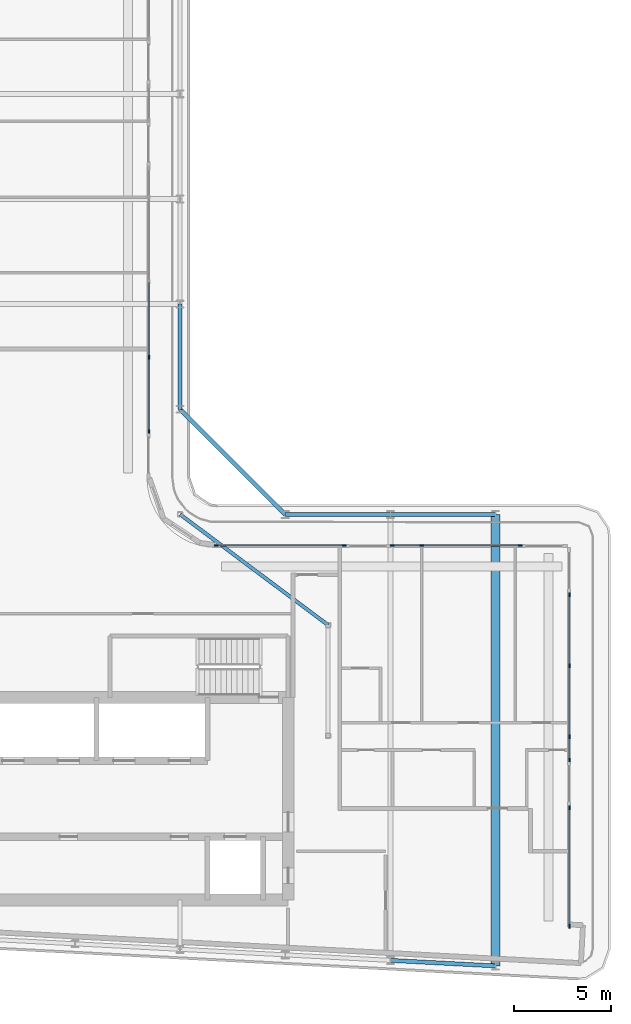
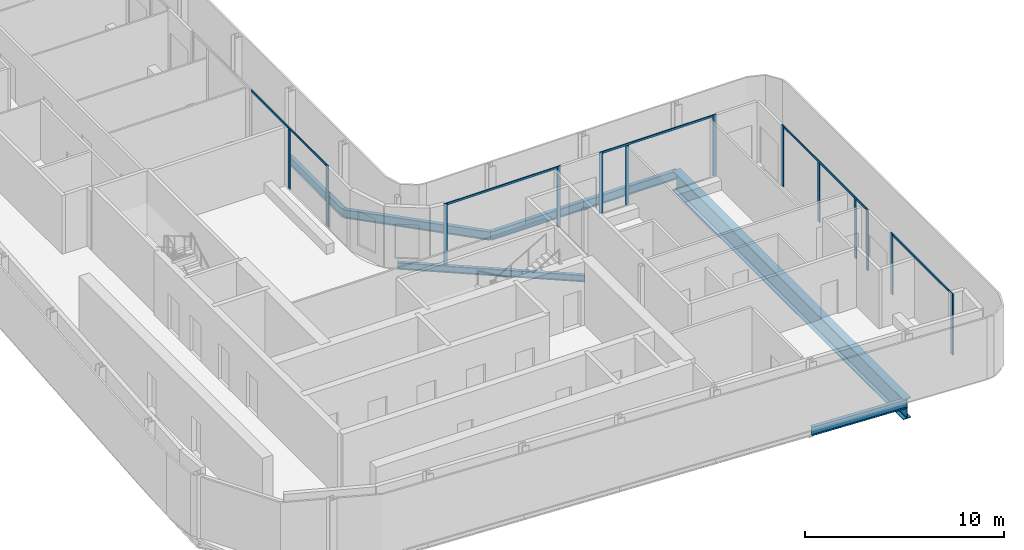
# One storey, part 6 of 21: 19 members, 7 beams, 6 elements without a shape of their own.
"""IFC4 building model written with IfcOpenShell, lengths in metres."""

from ifc_helpers import new_model, si_unit, direction, frame, origin, origin_2d, place, context, subcontext, project, spatial, rectangle, i_section, extrude, material, layer, layer_set, material_profile, profile_set, type_object, element, aggregate, save


model = new_model("IFC4")

# Units and contexts
model_context = context("Model", 3, precision=1e-05, world=origin(), true_north=direction((0.0, 1.0)))
body_context = subcontext(model_context, "Body", "Model", "MODEL_VIEW")
ifc_project = project(units=[si_unit("LENGTHUNIT", "METRE"), si_unit("AREAUNIT", "SQUARE_METRE"), si_unit("VOLUMEUNIT", "CUBIC_METRE"), si_unit("PLANEANGLEUNIT", "RADIAN"), si_unit("MASSUNIT", "GRAM", prefix="KILO")], contexts=[model_context])

# Site, building, storey
site_placement = place(None, origin())
site = spatial("IfcSite", under=ifc_project, at=site_placement, CompositionType="ELEMENT")
building_placement = place(site_placement, origin())
building = spatial("IfcBuilding", under=site, at=building_placement, Name="Kheshtan School and Residences Tower", CompositionType="ELEMENT")
storey_placement = place(building_placement, frame((0.0, 0.0, 321.5)))
storey = spatial("IfcBuildingStorey", under=building, at=storey_placement, Name="L76", CompositionType="ELEMENT", Elevation=321.5)

# Beams
ifc_material_1 = material(Name="Steel ASTM A992 Grade 50", Category="steel")
ifc_material_profile_1 = material_profile(ifc_material_1, i_section(OverallWidth=0.180908203125, OverallDepth=0.4169921875, WebThickness=0.010986328125, FlangeThickness=0.018310546875, FilletRadius=0.012451171875, at=origin_2d()), Name="W410x85")
ifc_profile_set_1 = profile_set([ifc_material_profile_1], Name="Steel ASTM A992 Grade 50")
beam_type_1 = type_object("IfcBeamType", Name="Beam FB3 W410x85 ASTM A992 Grade 50", PredefinedType="BEAM", material=ifc_profile_set_1)
beam_1_placement = place(storey_placement, frame((47.60009765625, 45.60009765625, -0.3583984375), z_axis=(0.800798828004, -0.598933416222, 0.0), x_axis=(0.598933416222, 0.800798828004, 0.0)))
element("IfcBeam", 1, at=beam_1_placement, inside=storey, type_object=beam_type_1, Name="Floor beam IC", PredefinedType="BEAM", context=body_context, shape_type="SweptSolid", body=[
    extrude(i_section(OverallWidth=0.180908203125, OverallDepth=0.4169921875, WebThickness=0.010986328125, FlangeThickness=0.018310546875, FilletRadius=0.012451171875, at=origin_2d()), origin(), (0.0, 0.0, 1.0), 9.490234375),
])
ifc_material_profile_2 = material_profile(ifc_material_1, i_section(OverallWidth=0.208984375, OverallDepth=0.532958984375, WebThickness=0.01025390625, FlangeThickness=0.015625, FilletRadius=0.013916015625, at=origin_2d()), Name="W530x92")
ifc_profile_set_2 = profile_set([ifc_material_profile_2], Name="Steel ASTM A992 Grade 50")
beam_type_2 = type_object("IfcBeamType", Name="Beam SP3 W530x92 ASTM A992 Grade 50", PredefinedType="BEAM", material=ifc_profile_set_2)
beam_2_placement = place(storey_placement, frame((47.60009765625, 56.39990234375, -0.41650390625), z_axis=(0.0, -1.0, 0.0), x_axis=(1.0, 0.0, 0.0)))
element("IfcBeam", 2, at=beam_2_placement, inside=storey, type_object=beam_type_2, Name="Spandrel beam C081-C079", PredefinedType="BEAM", context=body_context, shape_type="SweptSolid", body=[
    extrude(i_section(OverallWidth=0.208984375, OverallDepth=0.532958984375, WebThickness=0.01025390625, FlangeThickness=0.015625, FilletRadius=0.013916015625, at=origin_2d()), origin(), (0.0, 0.0, 1.0), 5.39990234375),
])
beam_3_placement = place(storey_placement, frame((47.60009765625, 51.0, -0.41650390625), z_axis=(0.707106781187, -0.707106781187, 0.0), x_axis=(0.707106781187, 0.707106781187, 0.0)))
element("IfcBeam", 3, at=beam_3_placement, inside=storey, type_object=beam_type_2, Name="Spandrel beam C079-C061", PredefinedType="BEAM", context=body_context, shape_type="SweptSolid", body=[
    extrude(i_section(OverallWidth=0.208984375, OverallDepth=0.532958984375, WebThickness=0.01025390625, FlangeThickness=0.015625, FilletRadius=0.013916015625, at=origin_2d()), origin(), (0.0, 0.0, 1.0), 7.63671875),
])
beam_4_placement = place(storey_placement, frame((53.0, 45.60009765625, -0.41650390625), z_axis=(1.0, 0.0, 0.0), x_axis=(0.0, 1.0, 0.0)))
element("IfcBeam", 4, at=beam_4_placement, inside=storey, type_object=beam_type_2, Name="Spandrel beam C061-C062", PredefinedType="BEAM", context=body_context, shape_type="SweptSolid", body=[
    extrude(i_section(OverallWidth=0.208984375, OverallDepth=0.532958984375, WebThickness=0.01025390625, FlangeThickness=0.015625, FilletRadius=0.013916015625, at=origin_2d()), origin(), (0.0, 0.0, 1.0), 5.39990234375),
])
beam_5_placement = place(storey_placement, frame((58.39990234375, 45.60009765625, -0.41650390625), z_axis=(1.0, 0.0, 0.0), x_axis=(0.0, 1.0, 0.0)))
element("IfcBeam", 5, at=beam_5_placement, inside=storey, type_object=beam_type_2, Name="Spandrel beam C062-C063", PredefinedType="BEAM", context=body_context, shape_type="SweptSolid", body=[
    extrude(i_section(OverallWidth=0.208984375, OverallDepth=0.532958984375, WebThickness=0.01025390625, FlangeThickness=0.015625, FilletRadius=0.013916015625, at=origin_2d()), origin(), (0.0, 0.0, 1.0), 5.400146484375),
])
beam_6_placement = place(storey_placement, frame((63.800048828125, 22.410888671875, -0.41650390625), z_axis=(-0.998618203458, 0.052551724256, 0.0), x_axis=(-0.052551724256, -0.998618203458, 0.0)))
element("IfcBeam", 6, at=beam_6_placement, inside=storey, type_object=beam_type_2, Name="Spandrel beam C016-C018", PredefinedType="BEAM", context=body_context, shape_type="SweptSolid", body=[
    extrude(i_section(OverallWidth=0.208984375, OverallDepth=0.532958984375, WebThickness=0.01025390625, FlangeThickness=0.015625, FilletRadius=0.013916015625, at=origin_2d()), origin(), (0.0, 0.0, 1.0), 5.40771484375),
])

# Curtain wall, members
ifc_material_2 = material(Name="Clear low-e glass in thermally broken aluminium frame", Category="aluminium")
ifc_layer = layer(ifc_material_2, 0.199951171875)
ifc_layer_set = layer_set([ifc_layer], Name="Curtain wall CW-L")
curtain_wall_type = type_object("IfcCurtainWallType", Name="Curtain wall CW-L", PredefinedType="NOTDEFINED", material=ifc_layer_set)
curtain_wall_1_placement = place(storey_placement, origin())
curtain_wall_1 = element("IfcCurtainWall", 7, at=curtain_wall_1_placement, inside=storey, type_object=curtain_wall_type, Name="Curtain wall CWL8", PredefinedType="NOTDEFINED")
ifc_material_3 = material(Name="Thermally broken aluminium, dark bronze anodised", Category="aluminium")
ifc_material_profile_3 = material_profile(ifc_material_3, rectangle(XDim=0.06005859375, YDim=0.199951171875, at=origin_2d()), Name="CW-L mullion 60x200")
ifc_profile_set_3 = profile_set([ifc_material_profile_3], Name="Thermally broken aluminium, dark bronze anodised")
member_type_1 = type_object("IfcMemberType", Name="CW-L mullion 60x200", PredefinedType="MULLION", material=ifc_profile_set_3)
member_1_placement = place(storey_placement, frame((46.0, 53.677001953125, 0.0), z_axis=(0.0, 0.0, 1.0), x_axis=(1.0, 0.0, 0.0)))
member_1 = element("IfcMember", 8, at=member_1_placement, type_object=member_type_1, Name="CWL8 mullion 2", PredefinedType="MULLION", context=body_context, shape_type="SweptSolid", body=[
    extrude(rectangle(XDim=0.06005859375, YDim=0.199951171875, at=origin_2d()), origin(), (0.0, 0.0, 1.0), 3.6298828125),
])
member_2_placement = place(storey_placement, frame((46.0, 49.860107421875, 0.0), z_axis=(0.0, 0.0, 1.0), x_axis=(1.0, 0.0, 0.0)))
member_2 = element("IfcMember", 9, at=member_2_placement, type_object=member_type_1, Name="CWL8 mullion 3", PredefinedType="MULLION", context=body_context, shape_type="SweptSolid", body=[
    extrude(rectangle(XDim=0.06005859375, YDim=0.199951171875, at=origin_2d()), origin(), (0.0, 0.0, 1.0), 3.75),
])

curtain_wall_2_placement = place(storey_placement, origin())
curtain_wall_2 = element("IfcCurtainWall", 10, at=curtain_wall_2_placement, inside=storey, type_object=curtain_wall_type, Name="Curtain wall CWL1233", PredefinedType="NOTDEFINED")
member_3_placement = place(storey_placement, frame((49.4599609375, 44.0, 0.0), z_axis=(0.0, 0.0, 1.0), x_axis=(0.0, 1.0, 0.0)))
member_3 = element("IfcMember", 11, at=member_3_placement, type_object=member_type_1, Name="CWL1233 mullion 1", PredefinedType="MULLION", context=body_context, shape_type="SweptSolid", body=[
    extrude(rectangle(XDim=0.06005859375, YDim=0.199951171875, at=origin_2d()), origin(), (0.0, 0.0, 1.0), 3.75),
])
member_4_placement = place(storey_placement, frame((56.034912109375, 44.0, 0.0), z_axis=(0.0, 0.0, 1.0), x_axis=(0.0, 1.0, 0.0)))
member_4 = element("IfcMember", 12, at=member_4_placement, type_object=member_type_1, Name="CWL1233 mullion 2", PredefinedType="MULLION", context=body_context, shape_type="SweptSolid", body=[
    extrude(rectangle(XDim=0.06005859375, YDim=0.199951171875, at=origin_2d()), origin(), (0.0, 0.0, 1.0), 3.75),
])

curtain_wall_3_placement = place(storey_placement, origin())
curtain_wall_3 = element("IfcCurtainWall", 13, at=curtain_wall_3_placement, inside=storey, type_object=curtain_wall_type, Name="Curtain wall CWL1234", PredefinedType="NOTDEFINED")
member_5_placement = place(storey_placement, frame((58.4951171875, 44.0, 0.0), z_axis=(0.0, 0.0, 1.0), x_axis=(0.0, 1.0, 0.0)))
member_5 = element("IfcMember", 14, at=member_5_placement, type_object=member_type_1, Name="CWL1234 mullion 1", PredefinedType="MULLION", context=body_context, shape_type="SweptSolid", body=[
    extrude(rectangle(XDim=0.06005859375, YDim=0.199951171875, at=origin_2d()), origin(), (0.0, 0.0, 1.0), 3.75),
])
member_6_placement = place(storey_placement, frame((60.0, 44.0, 0.0), z_axis=(0.0, 0.0, 1.0), x_axis=(0.0, 1.0, 0.0)))
member_6 = element("IfcMember", 15, at=member_6_placement, type_object=member_type_1, Name="CWL1234 mullion 2", PredefinedType="MULLION", context=body_context, shape_type="SweptSolid", body=[
    extrude(rectangle(XDim=0.06005859375, YDim=0.199951171875, at=origin_2d()), origin(), (0.0, 0.0, 1.0), 3.6298828125),
])
member_7_placement = place(storey_placement, frame((65.070068359375, 44.0, 0.0), z_axis=(0.0, 0.0, 1.0), x_axis=(0.0, 1.0, 0.0)))
member_7 = element("IfcMember", 16, at=member_7_placement, type_object=member_type_1, Name="CWL1234 mullion 3", PredefinedType="MULLION", context=body_context, shape_type="SweptSolid", body=[
    extrude(rectangle(XDim=0.06005859375, YDim=0.199951171875, at=origin_2d()), origin(), (0.0, 0.0, 1.0), 3.75),
])

curtain_wall_4_placement = place(storey_placement, origin())
curtain_wall_4 = element("IfcCurtainWall", 17, at=curtain_wall_4_placement, inside=storey, type_object=curtain_wall_type, Name="Curtain wall CWL13e", PredefinedType="NOTDEFINED")
member_8_placement = place(storey_placement, frame((67.60009765625, 41.469970703125, 0.0), z_axis=(0.0, 0.0, 1.0), x_axis=(1.0, 0.0, 0.0)))
member_8 = element("IfcMember", 18, at=member_8_placement, type_object=member_type_1, Name="CWL13e mullion 1", PredefinedType="MULLION", context=body_context, shape_type="SweptSolid", body=[
    extrude(rectangle(XDim=0.06005859375, YDim=0.199951171875, at=origin_2d()), origin(), (0.0, 0.0, 1.0), 3.75),
])
member_9_placement = place(storey_placement, frame((67.60009765625, 37.829833984375, 0.0), z_axis=(0.0, 0.0, 1.0), x_axis=(1.0, 0.0, 0.0)))
member_9 = element("IfcMember", 19, at=member_9_placement, type_object=member_type_1, Name="CWL13e mullion 2", PredefinedType="MULLION", context=body_context, shape_type="SweptSolid", body=[
    extrude(rectangle(XDim=0.06005859375, YDim=0.199951171875, at=origin_2d()), origin(), (0.0, 0.0, 1.0), 3.6298828125),
])
member_10_placement = place(storey_placement, frame((67.60009765625, 34.189453125, 0.0), z_axis=(0.0, 0.0, 1.0), x_axis=(1.0, 0.0, 0.0)))
member_10 = element("IfcMember", 20, at=member_10_placement, type_object=member_type_1, Name="CWL13e mullion 3", PredefinedType="MULLION", context=body_context, shape_type="SweptSolid", body=[
    extrude(rectangle(XDim=0.06005859375, YDim=0.199951171875, at=origin_2d()), origin(), (0.0, 0.0, 1.0), 3.75),
])

# Curtain wall, member
curtain_wall_5_placement = place(storey_placement, origin())
curtain_wall_5 = element("IfcCurtainWall", 21, at=curtain_wall_5_placement, inside=storey, type_object=curtain_wall_type, Name="Curtain wall CWL13f", PredefinedType="NOTDEFINED")
member_11_placement = place(storey_placement, frame((67.60009765625, 32.989501953125, 0.0), z_axis=(0.0, 0.0, 1.0), x_axis=(1.0, 0.0, 0.0)))
member_11 = element("IfcMember", 22, at=member_11_placement, type_object=member_type_1, Name="CWL13f mullion 2", PredefinedType="MULLION", context=body_context, shape_type="SweptSolid", body=[
    extrude(rectangle(XDim=0.06005859375, YDim=0.199951171875, at=origin_2d()), origin(), (0.0, 0.0, 1.0), 3.75),
])

# Curtain wall, members
curtain_wall_6_placement = place(storey_placement, origin())
curtain_wall_6 = element("IfcCurtainWall", 23, at=curtain_wall_6_placement, inside=storey, type_object=curtain_wall_type, Name="Curtain wall CWL13g", PredefinedType="NOTDEFINED")
member_12_placement = place(storey_placement, frame((67.60009765625, 30.529541015625, 0.0), z_axis=(0.0, 0.0, 1.0), x_axis=(1.0, 0.0, 0.0)))
member_12 = element("IfcMember", 24, at=member_12_placement, type_object=member_type_1, Name="CWL13g mullion 1", PredefinedType="MULLION", context=body_context, shape_type="SweptSolid", body=[
    extrude(rectangle(XDim=0.06005859375, YDim=0.199951171875, at=origin_2d()), origin(), (0.0, 0.0, 1.0), 3.75),
])
member_13_placement = place(storey_placement, frame((67.60009765625, 24.448974609375, 0.0), z_axis=(0.0, 0.0, 1.0), x_axis=(1.0, 0.0, 0.0)))
member_13 = element("IfcMember", 25, at=member_13_placement, type_object=member_type_1, Name="CWL13g mullion 2", PredefinedType="MULLION", context=body_context, shape_type="SweptSolid", body=[
    extrude(rectangle(XDim=0.06005859375, YDim=0.199951171875, at=origin_2d()), origin(), (0.0, 0.0, 1.0), 3.75),
])

# Member
ifc_material_profile_4 = material_profile(ifc_material_3, rectangle(XDim=0.06005859375, YDim=0.1201171875, at=origin_2d()), Name="CW-L transom 60x120")
ifc_profile_set_4 = profile_set([ifc_material_profile_4], Name="Thermally broken aluminium, dark bronze anodised")
member_type_2 = type_object("IfcMemberType", Name="CW-L transom 60x120", PredefinedType="USERDEFINED", material=ifc_profile_set_4)
member_14_placement = place(storey_placement, frame((46.0, 57.52392578125, 3.68994140625), z_axis=(0.0, -1.0, 0.0), x_axis=(1.0, 0.0, 0.0)))
member_14 = element("IfcMember", 26, at=member_14_placement, type_object=member_type_2, Name="CWL8 transom 1", ObjectType="TRANSOM", PredefinedType="USERDEFINED", context=body_context, shape_type="SweptSolid", body=[
    extrude(rectangle(XDim=0.06005859375, YDim=0.1201171875, at=origin_2d()), origin(), (0.0, 0.0, 1.0), 7.634033203125),
])

aggregate(curtain_wall_1, [member_1, member_2, member_14])

member_15_placement = place(storey_placement, frame((49.489990234375, 44.0, 3.68994140625), z_axis=(1.0, 0.0, 0.0), x_axis=(0.0, 1.0, 0.0)))
member_15 = element("IfcMember", 27, at=member_15_placement, type_object=member_type_2, Name="CWL1233 transom 1", ObjectType="TRANSOM", PredefinedType="USERDEFINED", context=body_context, shape_type="SweptSolid", body=[
    extrude(rectangle(XDim=0.06005859375, YDim=0.1201171875, at=origin_2d()), origin(), (0.0, 0.0, 1.0), 6.514892578125),
])

aggregate(curtain_wall_2, [member_3, member_4, member_15])

member_16_placement = place(storey_placement, frame((58.52490234375, 44.0, 3.68994140625), z_axis=(1.0, 0.0, 0.0), x_axis=(0.0, 1.0, 0.0)))
member_16 = element("IfcMember", 28, at=member_16_placement, type_object=member_type_2, Name="CWL1234 transom 1", ObjectType="TRANSOM", PredefinedType="USERDEFINED", context=body_context, shape_type="SweptSolid", body=[
    extrude(rectangle(XDim=0.06005859375, YDim=0.1201171875, at=origin_2d()), origin(), (0.0, 0.0, 1.0), 6.51513671875),
])

aggregate(curtain_wall_3, [member_5, member_6, member_7, member_16])

member_17_placement = place(storey_placement, frame((67.60009765625, 41.43994140625, 3.68994140625), z_axis=(0.0, -1.0, 0.0), x_axis=(1.0, 0.0, 0.0)))
member_17 = element("IfcMember", 29, at=member_17_placement, type_object=member_type_2, Name="CWL13e transom 1", ObjectType="TRANSOM", PredefinedType="USERDEFINED", context=body_context, shape_type="SweptSolid", body=[
    extrude(rectangle(XDim=0.06005859375, YDim=0.1201171875, at=origin_2d()), origin(), (0.0, 0.0, 1.0), 7.220458984375),
])

aggregate(curtain_wall_4, [member_8, member_9, member_10, member_17])

member_18_placement = place(storey_placement, frame((67.60009765625, 34.159423828125, 3.68994140625), z_axis=(0.0, -1.0, 0.0), x_axis=(1.0, 0.0, 0.0)))
member_18 = element("IfcMember", 30, at=member_18_placement, type_object=member_type_2, Name="CWL13f transom 1", ObjectType="TRANSOM", PredefinedType="USERDEFINED", context=body_context, shape_type="SweptSolid", body=[
    extrude(rectangle(XDim=0.06005859375, YDim=0.1201171875, at=origin_2d()), origin(), (0.0, 0.0, 1.0), 1.139892578125),
])

aggregate(curtain_wall_5, [member_11, member_18])

member_19_placement = place(storey_placement, frame((67.60009765625, 30.49951171875, 3.68994140625), z_axis=(0.0, -1.0, 0.0), x_axis=(1.0, 0.0, 0.0)))
member_19 = element("IfcMember", 31, at=member_19_placement, type_object=member_type_2, Name="CWL13g transom 1", ObjectType="TRANSOM", PredefinedType="USERDEFINED", context=body_context, shape_type="SweptSolid", body=[
    extrude(rectangle(XDim=0.06005859375, YDim=0.1201171875, at=origin_2d()), origin(), (0.0, 0.0, 1.0), 6.0205078125),
])

aggregate(curtain_wall_6, [member_12, member_13, member_19])

# Beam
ifc_material_profile_5 = material_profile(ifc_material_1, i_section(OverallWidth=0.449951171875, OverallDepth=1.25, WebThickness=0.02490234375, FlangeThickness=0.044921875, FilletRadius=0.03759765625, at=origin_2d()), Name="WWF1250x546")
ifc_profile_set_5 = profile_set([ifc_material_profile_5], Name="Steel ASTM A992 Grade 50")
beam_type_3 = type_object("IfcBeamType", Name="Transfer girder TG4 WWF1250x546 ASTM A992 Grade 50", PredefinedType="BEAM", material=ifc_profile_set_5)
beam_7_placement = place(storey_placement, frame((63.800048828125, 45.60009765625, -0.77490234375), z_axis=(0.0, -1.0, 0.0), x_axis=(1.0, 0.0, 0.0)))
element("IfcBeam", 32, at=beam_7_placement, inside=storey, type_object=beam_type_3, Name="Transfer girder C063-C016", PredefinedType="BEAM", context=body_context, shape_type="SweptSolid", body=[
    extrude(i_section(OverallWidth=0.449951171875, OverallDepth=1.25, WebThickness=0.02490234375, FlangeThickness=0.044921875, FilletRadius=0.03759765625, at=origin_2d()), origin(), (0.0, 0.0, 1.0), 23.189208984375),
])

save(model, "model.ifc")
